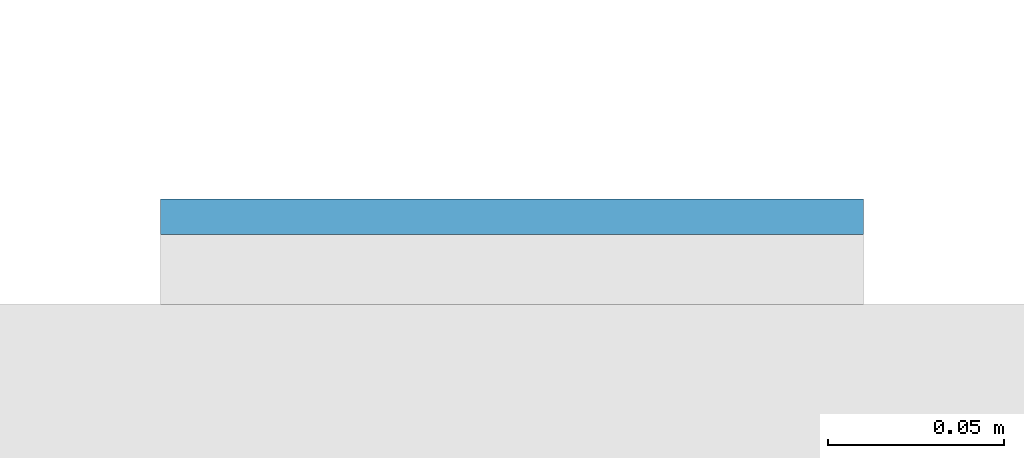
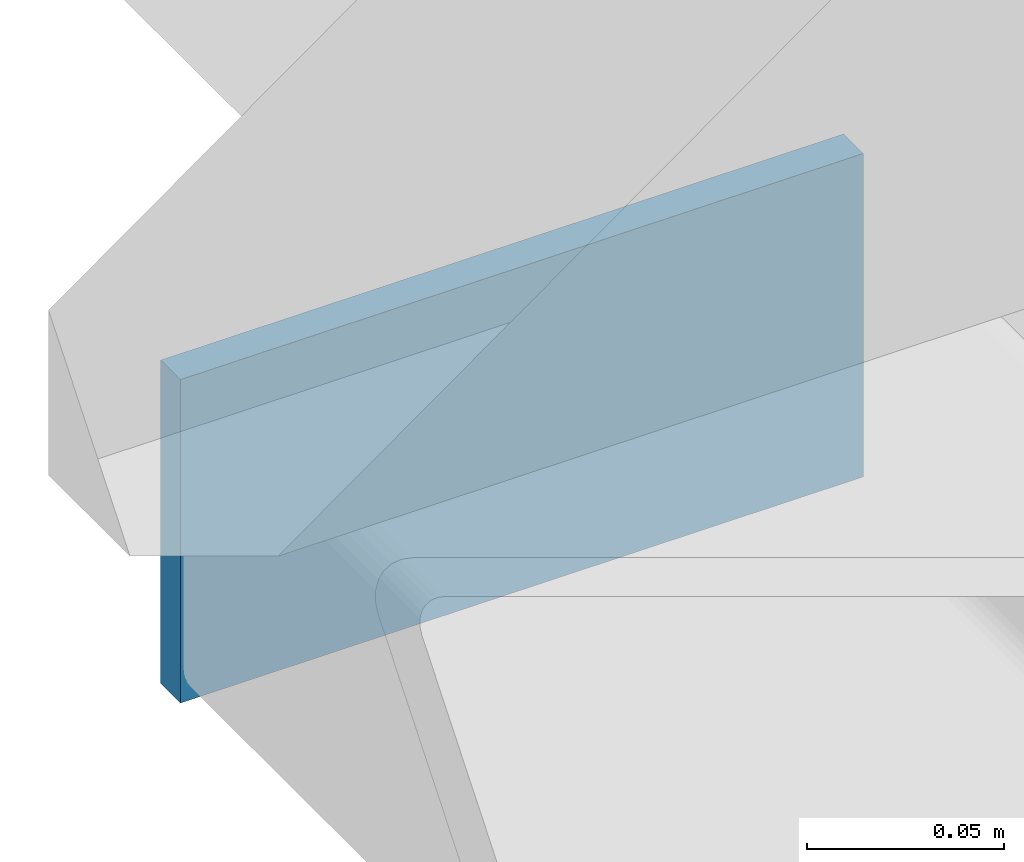
# One storey, part 9 of 20: 1 plate.
"""IFC4 building model written with IfcOpenShell, lengths in metres."""

import ifcopenshell
import ifcopenshell.guid

model = None  # the IFC model being written
_history = None  # IfcOwnerHistory: only IFC2X3 demands one
_inside = {}  # id of a spatial element -> (the spatial element, [elements in it])
_under = {}  # id of a project, library or spatial element -> (it, [spatial elements below it])
_declared = {}  # id of a project -> (the project, [libraries it declares])
_typed = {}  # id of a type object -> (the type object, [elements of that type])
_made_of = {}  # id of a material, layer set ... -> (it, [elements and type objects made of it])


def new_model(schema):
    """Start an empty IFC model of exactly this schema.

    Asked for "IFC4X3", IfcOpenShell would pick the latest addendum, in which some entities
    have other attributes; the version numbers below select the first issue.
    IFC2X3 requires an IfcOwnerHistory on every rooted entity: one is made here for all.
    """
    global model, _history
    if schema == "IFC4X3":
        model = ifcopenshell.file(schema_version=(4, 3, 0, 0))
    else:
        model = ifcopenshell.file(schema=schema)
    _inside.clear()
    _under.clear()
    _declared.clear()
    _typed.clear()
    _made_of.clear()
    _history = None
    if model.schema == "IFC2X3":
        org = make("IfcOrganization", Name="unknown")
        user = make(
            "IfcPersonAndOrganization",
            ThePerson=make("IfcPerson", FamilyName="unknown"),
            TheOrganization=org,
        )
        app = make(
            "IfcApplication",
            ApplicationDeveloper=org,
            Version="unknown",
            ApplicationFullName="unknown",
            ApplicationIdentifier="unknown",
        )
        _history = make(
            "IfcOwnerHistory",
            OwningUser=user,
            OwningApplication=app,
            ChangeAction="ADDED",
            CreationDate=0,
        )
    return model


def make(cls, **values):
    """One entity of the class cls with the attributes given. An attribute that is None is left unset."""
    return model.create_entity(
        cls, **{name: value for name, value in values.items() if value is not None}
    )


def rooted(cls, **values):
    """An entity with a GlobalId (a new one), such as an element, a storey or a relation."""
    return make(cls, GlobalId=ifcopenshell.guid.new(), OwnerHistory=_history, **values)


def si_unit(unit_type, name, prefix=None):
    """IfcSIUnit, for example si_unit("LENGTHUNIT", "METRE", prefix="MILLI")."""
    return make("IfcSIUnit", UnitType=unit_type, Prefix=prefix, Name=name)


def assignment(units):
    """IfcUnitAssignment: the units of a project."""
    return None if units is None else make("IfcUnitAssignment", Units=units)


def point(xyz):
    """IfcCartesianPoint."""
    return None if xyz is None else make("IfcCartesianPoint", Coordinates=xyz)


def direction(xyz):
    """IfcDirection."""
    return None if xyz is None else make("IfcDirection", DirectionRatios=xyz)


def frame(location, z_axis=None, x_axis=None):
    """IfcAxis2Placement3D, a coordinate frame: its origin and axes. An axis left out is left unset."""
    return make(
        "IfcAxis2Placement3D",
        Location=point(location),
        Axis=direction(z_axis),
        RefDirection=direction(x_axis),
    )


def frame_2d(location, x_axis=None):
    """IfcAxis2Placement2D, a coordinate frame in the plane: its origin and x axis."""
    return make(
        "IfcAxis2Placement2D", Location=point(location), RefDirection=direction(x_axis)
    )


def origin():
    """The frame at (0, 0, 0) with its axes left unset."""
    return frame((0.0, 0.0, 0.0))


def origin_2d():
    """The frame at (0, 0) in the plane with its x axis left unset."""
    return frame_2d((0.0, 0.0))


def place(relative_to, where):
    """IfcLocalPlacement: puts the frame where relative to a parent placement (None: the world)."""
    return make(
        "IfcLocalPlacement", PlacementRelTo=relative_to, RelativePlacement=where
    )


def context(
    kind, dimensions, precision=None, world=None, true_north=None, identifier=None
):
    """IfcGeometricRepresentationContext, for example the 3D "Model" context."""
    return make(
        "IfcGeometricRepresentationContext",
        ContextIdentifier=identifier,
        ContextType=kind,
        CoordinateSpaceDimension=dimensions,
        Precision=precision,
        WorldCoordinateSystem=world,
        TrueNorth=true_north,
    )


def subcontext(parent, identifier, kind, view, scale=None):
    """IfcGeometricRepresentationSubContext, for example "Body" below "Model"."""
    return make(
        "IfcGeometricRepresentationSubContext",
        ContextIdentifier=identifier,
        ContextType=kind,
        ParentContext=parent,
        TargetScale=scale,
        TargetView=view,
    )


def project(units=None, contexts=None):
    """IfcProject with its units and contexts."""
    return rooted(
        "IfcProject",
        Name="project",
        RepresentationContexts=contexts,
        UnitsInContext=assignment(units),
    )


def spatial(cls, under=None, at=None, **own):
    """A site, building, storey or space (cls), placed at a placement, below another one or the project."""
    s = rooted(cls, ObjectPlacement=at, **own)
    if under is not None:
        _under.setdefault(under.id(), (under, []))[1].append(s)
    return s


def profile(cls, at=None, kind="AREA", **sizes):
    """A parametric profile (cls). Its sizes go by their IFC names, for example OverallWidth=200.0."""
    return make(cls, ProfileType=kind, Position=at, **sizes)


def rectangle(**sizes):
    """IfcRectangleProfileDef."""
    return profile("IfcRectangleProfileDef", **sizes)


def extrude(swept, where, along, depth):
    """IfcExtrudedAreaSolid: the profile swept, set in the frame where, extruded along a direction by depth."""
    return make(
        "IfcExtrudedAreaSolid",
        SweptArea=swept,
        Position=where,
        ExtrudedDirection=direction(along),
        Depth=depth,
    )


def shape(context_of_items, identifier, shape_type, items):
    """IfcShapeRepresentation: the items that make up one representation, for example the "Body"."""
    return make(
        "IfcShapeRepresentation",
        ContextOfItems=context_of_items,
        RepresentationIdentifier=identifier,
        RepresentationType=shape_type,
        Items=items,
    )


def material(Name=None, Category=None):
    """IfcMaterial."""
    return make("IfcMaterial", Name=Name, Category=Category)


def layer(
    of_material, thickness, ventilated=None, Name=None, Category=None, Priority=None
):
    """IfcMaterialLayer: one layer of a wall or slab, of a material (None: an air gap)."""
    return make(
        "IfcMaterialLayer",
        Material=of_material,
        LayerThickness=thickness,
        IsVentilated=ventilated,
        Name=Name,
        Category=Category,
        Priority=Priority,
    )


def layer_set(layers, Name=None):
    """IfcMaterialLayerSet."""
    return make("IfcMaterialLayerSet", MaterialLayers=layers, LayerSetName=Name)


def made_of(thing, what):
    """Note that an element or type object is made of a material, layer set ...; save() writes the relation."""
    if what is not None:
        _made_of.setdefault(what.id(), (what, []))[1].append(thing)
    return thing


def type_object(cls, material=None, **own):
    """A type object (cls), such as IfcWallType, which elements share."""
    return made_of(rooted(cls, **own), material)


def element(
    cls,
    number,
    at=None,
    inside=None,
    cuts=None,
    type_object=None,
    material=None,
    context=None,
    identifier="Body",
    shape_type=None,
    held_by="IfcProductDefinitionShape",
    body=None,
    shapes=None,
    **own,
):
    """One element of the class cls, such as IfcWall. Its Tag is "e" and its number.

    at: its placement. inside: the storey or other place that contains it. cuts: it is an
    opening in that element (IfcRelVoidsElement). A single representation is given by context,
    identifier, shape_type and body (its items); several are given by shapes. held_by: the class
    of the entity that holds the representations. save() writes the other relations.
    """
    e = rooted(cls, Tag="e%d" % number, ObjectPlacement=at, **own)
    if body is not None:
        shapes = [shape(context, identifier, shape_type, body)]
    if shapes is not None:
        e.Representation = make(held_by, Representations=shapes)
    if inside is not None:
        _inside.setdefault(inside.id(), (inside, []))[1].append(e)
    if cuts is not None:
        rooted(
            "IfcRelVoidsElement", RelatingBuildingElement=cuts, RelatedOpeningElement=e
        )
    if type_object is not None:
        _typed.setdefault(type_object.id(), (type_object, []))[1].append(e)
    return made_of(e, material)


def aggregate(whole, parts):
    """IfcRelAggregates: a whole, such as a stair, and the parts it consists of."""
    return rooted("IfcRelAggregates", RelatingObject=whole, RelatedObjects=parts)


def save(model, path):
    """Write the relations noted so far, then the file.

    IfcRelAggregates (storeys below a building ...), IfcRelContainedInSpatialStructure (elements
    in a storey), IfcRelDefinesByType, IfcRelAssociatesMaterial and IfcRelDeclares: one each for
    every whole, place, type object, material and project.
    """
    for whole, parts in _under.values():
        aggregate(whole, parts)
    for where, things in _inside.values():
        rooted(
            "IfcRelContainedInSpatialStructure",
            RelatedElements=things,
            RelatingStructure=where,
        )
    for kind, things in _typed.values():
        rooted("IfcRelDefinesByType", RelatedObjects=things, RelatingType=kind)
    for what, things in _made_of.values():
        rooted("IfcRelAssociatesMaterial", RelatedObjects=things, RelatingMaterial=what)
    for by, libraries in _declared.values():
        rooted("IfcRelDeclares", RelatingContext=by, RelatedDefinitions=libraries)
    model.write(path)


model = new_model("IFC4")

# Units and contexts
model_context = context("Model", 3, precision=1e-05, world=origin(), true_north=direction((0.0, 1.0)))
body_context = subcontext(model_context, "Body", "Model", "MODEL_VIEW")
ifc_project = project(units=[si_unit("LENGTHUNIT", "METRE"), si_unit("AREAUNIT", "SQUARE_METRE"), si_unit("VOLUMEUNIT", "CUBIC_METRE"), si_unit("PLANEANGLEUNIT", "RADIAN"), si_unit("MASSUNIT", "GRAM", prefix="KILO")], contexts=[model_context])

# Site, building, storey
site_placement = place(None, origin())
site = spatial("IfcSite", under=ifc_project, at=site_placement, CompositionType="ELEMENT")
building_placement = place(site_placement, origin())
building = spatial("IfcBuilding", under=site, at=building_placement, Name="Cleftline Residences", CompositionType="ELEMENT")
storey_placement = place(building_placement, frame((0.0, 0.0, 168.199951171875)))
storey = spatial("IfcBuildingStorey", under=building, at=storey_placement, Name="L44", CompositionType="ELEMENT", Elevation=168.199951171875)

# Plate
ifc_material = material(Name="Steel S355, hot-dip galvanised", Category="steel")
ifc_layer = layer(ifc_material, 0.010009765625)
ifc_layer_set = layer_set([ifc_layer], Name="BAGUETTE CARRIER END PLATE 200X100X10")
plate_type = type_object("IfcPlateType", Name="BAGUETTE CARRIER END PLATE 200X100X10", PredefinedType="USERDEFINED", material=ifc_layer_set)
plate_placement = place(storey_placement, frame((-0.85009765625, 44.304931640625, -0.10009765625), z_axis=(0.0, 0.0, 1.0), x_axis=(-1.0, 0.0, 0.0)))
element("IfcPlate", 1, at=plate_placement, inside=storey, type_object=plate_type, Name="Baguette carrier end plate", ObjectType="BAGUETTE CARRIER END PLATE", PredefinedType="USERDEFINED", context=body_context, shape_type="SweptSolid", body=[
    extrude(rectangle(XDim=0.199951171875, YDim=0.010009765625, at=origin_2d()), origin(), (0.0, 0.0, 1.0), 0.10009765625),
])

save(model, "model.ifc")
